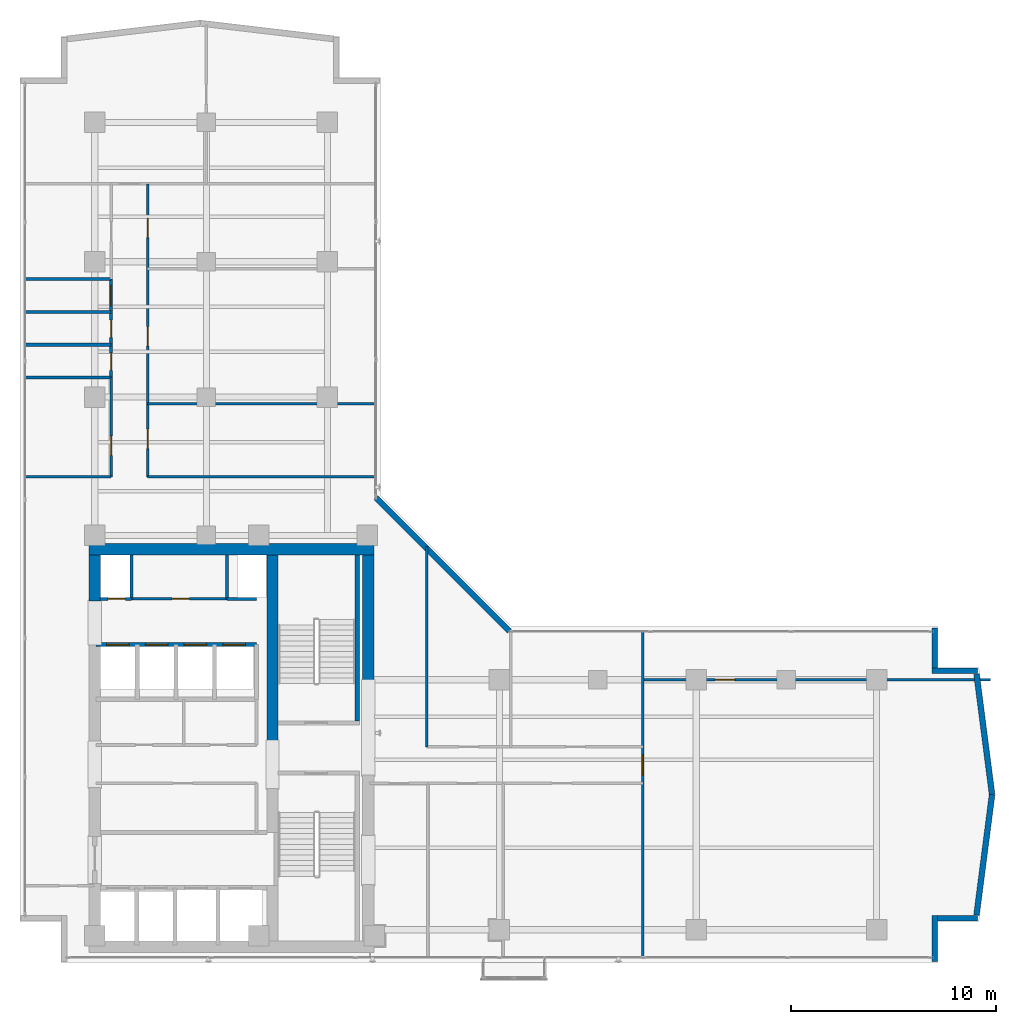
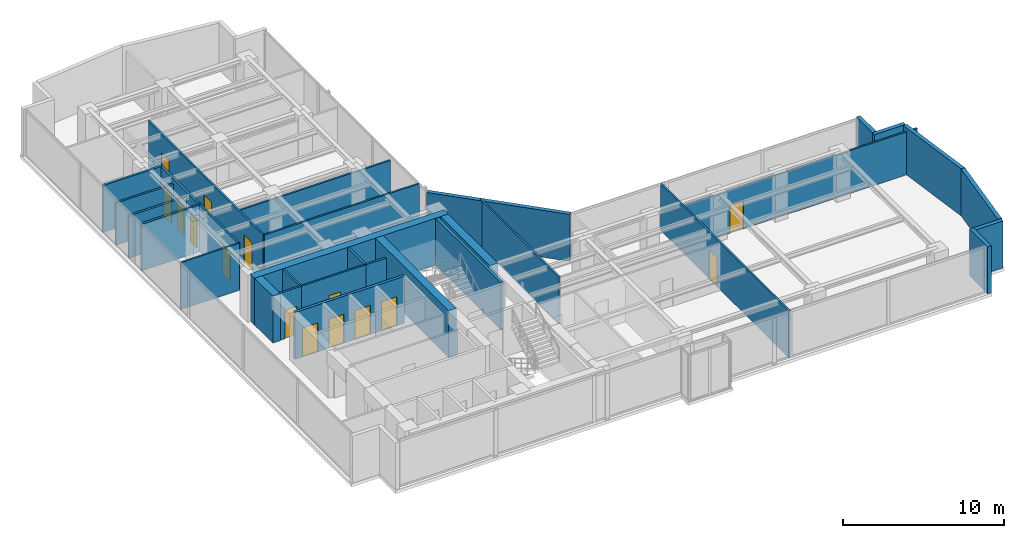
# One storey, part 18 of 23: 31 walls, 15 doors, 15 openings.
"""IFC4 building model written with IfcOpenShell, lengths in metres."""

from ifc_helpers import new_model, si_unit, direction, frame, frame_2d, origin, place, context, subcontext, project, spatial, rectangle, extrude, material, layer, layer_set, type_object, element, fill, save


model = new_model("IFC4")

# Units and contexts
model_context = context("Model", 3, precision=1e-05, world=origin(), true_north=direction((0.0, 1.0)))
body_context = subcontext(model_context, "Body", "Model", "MODEL_VIEW")
ifc_project = project(units=[si_unit("LENGTHUNIT", "METRE"), si_unit("AREAUNIT", "SQUARE_METRE"), si_unit("VOLUMEUNIT", "CUBIC_METRE"), si_unit("PLANEANGLEUNIT", "RADIAN"), si_unit("MASSUNIT", "GRAM", prefix="KILO")], contexts=[model_context])

# Site, building, storey
site_placement = place(None, origin())
site = spatial("IfcSite", under=ifc_project, at=site_placement, CompositionType="ELEMENT")
building_placement = place(site_placement, origin())
building = spatial("IfcBuilding", under=site, at=building_placement, Name="Kolvaren Waterfront Exchange", CompositionType="ELEMENT")
storey_placement = place(building_placement, frame((0.0, 0.0, 231.10009765625)))
storey = spatial("IfcBuildingStorey", under=building, at=storey_placement, Name="L59", CompositionType="ELEMENT", Elevation=231.10009765625)

# Walls
ifc_material_1 = material(Name="Precast concrete C40/50", Category="concrete")
ifc_layer_1 = layer(ifc_material_1, 0.280029296875, Name="Precast concrete C40/50")
ifc_layer_set_1 = layer_set([ifc_layer_1], Name="Precast concrete C40/50")
wall_type_1 = type_object("IfcWallType", Name="ARC-EXT-TERR-280", PredefinedType="SOLIDWALL", material=ifc_layer_set_1)
wall_1_placement = place(storey_placement, frame((48.43994140625, 3.659912109375, 0.0), z_axis=(0.0, 0.0, 1.0), x_axis=(0.0, 1.0, 0.0)))
element("IfcWall", 1, at=wall_1_placement, inside=storey, type_object=wall_type_1, Name="L59 notched corner spandrel pier SE-A", PredefinedType="SOLIDWALL", context=body_context, shape_type="SweptSolid", body=[
    extrude(rectangle(XDim=2.239990234375, YDim=0.280029296875, at=frame_2d((1.1201171875, 0.0))), origin(), (0.0, 0.0, 1.0), 3.559814453125),
])
wall_2_placement = place(storey_placement, frame((48.580078125, 5.760009765625, 0.0), z_axis=(0.0, 0.0, 1.0), x_axis=(1.0, 0.0, 0.0)))
element("IfcWall", 2, at=wall_2_placement, inside=storey, type_object=wall_type_1, Name="L59 notched corner spandrel pier SE-B", PredefinedType="SOLIDWALL", context=body_context, shape_type="SweptSolid", body=[
    extrude(rectangle(XDim=1.9599609375, YDim=0.280029296875, at=frame_2d((0.97998046875, 0.0))), origin(), (0.0, 0.0, 1.0), 3.559814453125),
])
wall_3_placement = place(storey_placement, frame((48.43994140625, 17.965087890625, 0.0), z_axis=(0.0, 0.0, 1.0), x_axis=(0.0, 1.0, 0.0)))
element("IfcWall", 3, at=wall_3_placement, inside=storey, type_object=wall_type_1, Name="L59 notched corner spandrel pier ENE-A", PredefinedType="SOLIDWALL", context=body_context, shape_type="SweptSolid", body=[
    extrude(rectangle(XDim=1.974853515625, YDim=0.280029296875, at=frame_2d((0.9873046875, 0.0))), origin(), (0.0, 0.0, 1.0), 3.559814453125),
])
wall_4_placement = place(storey_placement, frame((48.300048828125, 17.840087890625, 0.0), z_axis=(0.0, 0.0, 1.0), x_axis=(1.0, 0.0, 0.0)))
element("IfcWall", 4, at=wall_4_placement, inside=storey, type_object=wall_type_1, Name="L59 notched corner spandrel pier ENE-B", PredefinedType="SOLIDWALL", context=body_context, shape_type="SweptSolid", body=[
    extrude(rectangle(XDim=2.239990234375, YDim=0.280029296875, at=frame_2d((1.1201171875, 0.0))), origin(), (0.0, 0.0, 1.0), 3.559814453125),
])
wall_5_placement = place(storey_placement, frame((27.68505859375, 19.77490234375, 0.0), z_axis=(0.0, 0.0, 1.0), x_axis=(-0.707106781187, 0.707106781187, 0.0)))
element("IfcWall", 5, at=wall_5_placement, inside=storey, type_object=wall_type_1, Name="L59 notched corner spandrel pier ELBOW", PredefinedType="SOLIDWALL", context=body_context, shape_type="SweptSolid", body=[
    extrude(rectangle(XDim=9.20654296875, YDim=0.280029296875, at=frame_2d((4.603271484375, 0.0))), origin(), (0.0, 0.0, 1.0), 3.559814453125),
])
for number, where, z_axis, x_axis, name in (
    (6, (50.479736328125, 5.91796875, 0.0), (0.0, 0.0, 1.0), (0.127970031595, 0.991778035154, 0.0), "L59 east prow faceted facade wall 1"),
    (7, (51.23876953125, 11.79931640625, 0.0), (0.0, 0.0, 1.0), (-0.127970031595, 0.991778035154, 0.0), "L59 east prow faceted facade wall 2"),
):
    element("IfcWall", number, at=place(storey_placement, frame(where, z_axis=z_axis, x_axis=x_axis)), inside=storey, type_object=wall_type_1, Name=name, PredefinedType="SOLIDWALL", context=body_context, shape_type="SweptSolid", body=[
        extrude(rectangle(XDim=5.931396484375, YDim=0.280029296875, at=frame_2d((2.9658203125, 0.0))), origin(), (0.0, 0.0, 1.0), 3.559814453125),
    ])

# Wall, opening, door
ifc_material_2 = material(Name="Acoustic gypsum steel stud", Category="steel")
ifc_layer_2 = layer(ifc_material_2, 0.125, Name="Acoustic gypsum steel stud")
ifc_layer_set_2 = layer_set([ifc_layer_2], Name="Acoustic gypsum steel stud")
wall_type_2 = type_object("IfcWallType", Name="ARC-PART-125", PredefinedType="PARTITIONING", material=ifc_layer_set_2)
wall_6_placement = place(storey_placement, frame((9.25, 21.35009765625, 0.0), z_axis=(0.0, 0.0, 1.0), x_axis=(1.0, 0.0, 0.0)))
wall_6 = element("IfcWall", 8, at=wall_6_placement, inside=storey, type_object=wall_type_2, Name="L59 interior wall PW-L59-SVC-HI-S", PredefinedType="PARTITIONING", context=body_context, shape_type="SweptSolid", body=[
    extrude(rectangle(XDim=4.64990234375, YDim=0.125, at=frame_2d((2.324951171875, 0.0))), origin(), (0.0, 0.0, 1.0), 3.559814453125),
])
opening_1_placement = place(wall_6_placement, frame((1.971435546875, 0.0, 0.0)))
opening_1 = element("IfcOpeningElement", 9, at=opening_1_placement, cuts=wall_6, Name="Opening D01", PredefinedType="OPENING", context=body_context, shape_type="SweptSolid", body=[
    extrude(rectangle(XDim=0.85009765625, YDim=2.14990234375, at=frame_2d((0.425048828125, 1.074951171875))), frame((0.0, 0.072509765625, 0.0), z_axis=(0.0, -1.0, 0.0), x_axis=(1.0, 0.0, 0.0)), (0.0, 0.0, 1.0), 0.14501953125),
])
ifc_material_3 = material(Name="Oak veneer timber leaf", Category="wood")
door_type_1 = type_object("IfcDoorType", Name="ARC-DR-900", OperationType="NOTDEFINED", PredefinedType="DOOR", material=ifc_material_3)
door_1_placement = place(opening_1_placement, origin())
door_1 = element("IfcDoor", 10, at=door_1_placement, inside=storey, type_object=door_type_1, Name="L59 door DR-L59-SVC-DR-1 (D01)", OperationType="SINGLE_SWING_RIGHT", OverallHeight=2.14990234375, OverallWidth=0.85009765625, PredefinedType="DOOR", context=body_context, shape_type="SweptSolid", body=[
    extrude(rectangle(XDim=0.85009765625, YDim=2.14990234375, at=frame_2d((0.425048828125, 1.074951171875))), frame((0.0, 0.02490234375, 0.0), z_axis=(0.0, -1.0, 0.0), x_axis=(1.0, 0.0, 0.0)), (0.0, 0.0, 1.0), 0.050048828125),
])
fill(opening_1, door_1)

wall_7_placement = place(storey_placement, frame((8.25, 27.300048828125, 0.0), z_axis=(0.0, 0.0, 1.0), x_axis=(0.0, 1.0, 0.0)))
wall_7 = element("IfcWall", 11, at=wall_7_placement, inside=storey, type_object=wall_type_2, Name="L59 interior wall PW-L59-PREWC-E", PredefinedType="PARTITIONING", context=body_context, shape_type="SweptSolid", body=[
    extrude(rectangle(XDim=4.849853515625, YDim=0.125, at=frame_2d((2.4248046875, 0.0))), origin(), (0.0, 0.0, 1.0), 3.559814453125),
])
opening_2_placement = place(wall_7_placement, frame((1.050048828125, 0.0, 0.0)))
opening_2 = element("IfcOpeningElement", 12, at=opening_2_placement, cuts=wall_7, Name="Opening D02", PredefinedType="OPENING", context=body_context, shape_type="SweptSolid", body=[
    extrude(rectangle(XDim=0.949951171875, YDim=2.14990234375, at=frame_2d((0.47509765625, 1.074951171875))), frame((0.0, 0.072509765625, 0.0), z_axis=(0.0, -1.0, 0.0), x_axis=(1.0, 0.0, 0.0)), (0.0, 0.0, 1.0), 0.14501953125),
])
ifc_material_4 = material(Name="Oak veneer acoustic timber", Category="wood")
door_type_2 = type_object("IfcDoorType", Name="ARC-DR-950", OperationType="NOTDEFINED", PredefinedType="DOOR", material=ifc_material_4)
door_2_placement = place(opening_2_placement, origin())
door_2 = element("IfcDoor", 13, at=door_2_placement, inside=storey, type_object=door_type_2, Name="L59 door DR-L59-PREWC-D (D02)", OperationType="SINGLE_SWING_LEFT", OverallHeight=2.14990234375, OverallWidth=0.949951171875, PredefinedType="DOOR", context=body_context, shape_type="SweptSolid", body=[
    extrude(rectangle(XDim=0.949951171875, YDim=2.14990234375, at=frame_2d((0.47509765625, 1.074951171875))), frame((0.0, 0.02490234375, 0.0), z_axis=(0.0, -1.0, 0.0), x_axis=(1.0, 0.0, 0.0)), (0.0, 0.0, 1.0), 0.050048828125),
])
fill(opening_2, door_2)

# Wall
wall_8_placement = place(storey_placement, frame((4.0400390625, 27.300048828125, 0.0), z_axis=(0.0, 0.0, 1.0), x_axis=(1.0, 0.0, 0.0)))
element("IfcWall", 14, at=wall_8_placement, inside=storey, type_object=wall_type_2, Name="L59 interior wall PW-L59-PREWC-S", PredefinedType="PARTITIONING", context=body_context, shape_type="SweptSolid", body=[
    extrude(rectangle(XDim=4.2099609375, YDim=0.125, at=frame_2d((2.10498046875, 0.0))), origin(), (0.0, 0.0, 1.0), 3.559814453125),
])

# Wall, opening, door
wall_9_placement = place(storey_placement, frame((34.199951171875, 3.840087890625, 0.0), z_axis=(0.0, 0.0, 1.0), x_axis=(0.0, 1.0, 0.0)))
wall_9 = element("IfcWall", 15, at=wall_9_placement, inside=storey, type_object=wall_type_2, Name="L59 interior wall PW-L59-ETIP-W", PredefinedType="PARTITIONING", context=body_context, shape_type="SweptSolid", body=[
    extrude(rectangle(XDim=15.919921875, YDim=0.125, at=frame_2d((7.9599609375, 0.0))), origin(), (0.0, 0.0, 1.0), 3.559814453125),
])
opening_3_placement = place(wall_9_placement, frame((8.89990234375, 0.0, 0.0)))
opening_3 = element("IfcOpeningElement", 16, at=opening_3_placement, cuts=wall_9, Name="Opening D03", PredefinedType="OPENING", context=body_context, shape_type="SweptSolid", body=[
    extrude(rectangle(XDim=1.0, YDim=2.199951171875, at=frame_2d((0.5, 1.10009765625))), frame((0.0, 0.072509765625, 0.0), z_axis=(0.0, -1.0, 0.0), x_axis=(1.0, 0.0, 0.0)), (0.0, 0.0, 1.0), 0.14501953125),
])
ifc_material_5 = material(Name="Oak veneer accessible timber", Category="wood")
door_type_3 = type_object("IfcDoorType", Name="ARC-DR-1000", OperationType="NOTDEFINED", PredefinedType="DOOR", material=ifc_material_5)
door_3_placement = place(opening_3_placement, origin())
door_3 = element("IfcDoor", 17, at=door_3_placement, inside=storey, type_object=door_type_3, Name="L59 door DR-L59-ETIP1-D (D03)", OperationType="SINGLE_SWING_LEFT", OverallHeight=2.199951171875, OverallWidth=1.0, PredefinedType="DOOR", context=body_context, shape_type="SweptSolid", body=[
    extrude(rectangle(XDim=1.0, YDim=2.199951171875, at=frame_2d((0.5, 1.10009765625))), frame((0.0, 0.02490234375, 0.0), z_axis=(0.0, -1.0, 0.0), x_axis=(1.0, 0.0, 0.0)), (0.0, 0.0, 1.0), 0.050048828125),
])
fill(opening_3, door_3)

wall_10_placement = place(storey_placement, frame((34.199951171875, 17.39990234375, 0.0), z_axis=(0.0, 0.0, 1.0), x_axis=(1.0, 0.0, 0.0)))
wall_10 = element("IfcWall", 18, at=wall_10_placement, inside=storey, type_object=wall_type_2, Name="L59 interior wall PW-L59-ETIP-MID", PredefinedType="PARTITIONING", context=body_context, shape_type="SweptSolid", body=[
    extrude(rectangle(XDim=16.9599609375, YDim=0.125, at=frame_2d((8.47998046875, 0.0))), origin(), (0.0, 0.0, 1.0), 3.260009765625),
])
opening_4_placement = place(wall_10_placement, frame((3.52490234375, 0.0, 0.0)))
opening_4 = element("IfcOpeningElement", 19, at=opening_4_placement, cuts=wall_10, Name="Opening D02", PredefinedType="OPENING", context=body_context, shape_type="SweptSolid", body=[
    extrude(rectangle(XDim=0.949951171875, YDim=2.14990234375, at=frame_2d((0.47509765625, 1.074951171875))), frame((0.0, 0.072509765625, 0.0), z_axis=(0.0, -1.0, 0.0), x_axis=(1.0, 0.0, 0.0)), (0.0, 0.0, 1.0), 0.14501953125),
])
door_4_placement = place(opening_4_placement, origin())
door_4 = element("IfcDoor", 20, at=door_4_placement, inside=storey, type_object=door_type_2, Name="L59 door DR-L59-ETIP2-D (D02)", OperationType="SINGLE_SWING_RIGHT", OverallHeight=2.14990234375, OverallWidth=0.949951171875, PredefinedType="DOOR", context=body_context, shape_type="SweptSolid", body=[
    extrude(rectangle(XDim=0.949951171875, YDim=2.14990234375, at=frame_2d((0.47509765625, 1.074951171875))), frame((0.0, 0.02490234375, 0.0), z_axis=(0.0, -1.0, 0.0), x_axis=(1.0, 0.0, 0.0)), (0.0, 0.0, 1.0), 0.050048828125),
])
fill(opening_4, door_4)

# Walls
wall_11_placement = place(storey_placement, frame((23.64990234375, 14.1298828125, 0.0), z_axis=(0.0, 0.0, 1.0), x_axis=(0.0, 1.0, 0.0)))
element("IfcWall", 21, at=wall_11_placement, inside=storey, type_object=wall_type_2, Name="L59 interior wall PW-L59-EN-W0", PredefinedType="PARTITIONING", context=body_context, shape_type="SweptSolid", body=[
    extrude(rectangle(XDim=9.780029296875, YDim=0.125, at=frame_2d((4.89013671875, 0.0))), origin(), (0.0, 0.0, 1.0), 3.559814453125),
])
wall_12_placement = place(storey_placement, frame((10.030029296875, 27.300048828125, 0.0), z_axis=(0.0, 0.0, 1.0), x_axis=(1.0, 0.0, 0.0)))
element("IfcWall", 22, at=wall_12_placement, inside=storey, type_object=wall_type_2, Name="L59 interior wall PW-L59-NE-S0", PredefinedType="PARTITIONING", context=body_context, shape_type="SweptSolid", body=[
    extrude(rectangle(XDim=11.1298828125, YDim=0.125, at=frame_2d((5.56494140625, 0.0))), origin(), (0.0, 0.0, 1.0), 3.559814453125),
])

# Wall, openings, doors
wall_13_placement = place(storey_placement, frame((10.030029296875, 27.300048828125, 0.0), z_axis=(0.0, 0.0, 1.0), x_axis=(0.0, 1.0, 0.0)))
wall_13 = element("IfcWall", 23, at=wall_13_placement, inside=storey, type_object=wall_type_2, Name="L59 interior wall PW-L59-NE-CORR", PredefinedType="PARTITIONING", context=body_context, shape_type="SweptSolid", body=[
    extrude(rectangle(XDim=14.300048828125, YDim=0.125, at=frame_2d((7.14990234375, 0.0))), origin(), (0.0, 0.0, 1.0), 3.559814453125),
])
opening_5_placement = place(wall_13_placement, frame((1.385498046875, 0.0, 0.0)))
opening_5 = element("IfcOpeningElement", 24, at=opening_5_placement, cuts=wall_13, Name="Opening D02", PredefinedType="OPENING", context=body_context, shape_type="SweptSolid", body=[
    extrude(rectangle(XDim=0.949951171875, YDim=2.14990234375, at=frame_2d((0.47509765625, 1.074951171875))), frame((0.0, 0.072509765625, 0.0), z_axis=(0.0, -1.0, 0.0), x_axis=(1.0, 0.0, 0.0)), (0.0, 0.0, 1.0), 0.14501953125),
])
opening_6_placement = place(wall_13_placement, frame((6.389892578125, 0.0, 0.0)))
opening_6 = element("IfcOpeningElement", 25, at=opening_6_placement, cuts=wall_13, Name="Opening D02", PredefinedType="OPENING", context=body_context, shape_type="SweptSolid", body=[
    extrude(rectangle(XDim=0.949951171875, YDim=2.14990234375, at=frame_2d((0.47509765625, 1.074951171875))), frame((0.0, 0.072509765625, 0.0), z_axis=(0.0, -1.0, 0.0), x_axis=(1.0, 0.0, 0.0)), (0.0, 0.0, 1.0), 0.14501953125),
])
opening_7_placement = place(wall_13_placement, frame((11.679443359375, 0.0, 0.0)))
opening_7 = element("IfcOpeningElement", 26, at=opening_7_placement, cuts=wall_13, Name="Opening D02", PredefinedType="OPENING", context=body_context, shape_type="SweptSolid", body=[
    extrude(rectangle(XDim=0.949951171875, YDim=2.14990234375, at=frame_2d((0.47509765625, 1.074951171875))), frame((0.0, 0.072509765625, 0.0), z_axis=(0.0, -1.0, 0.0), x_axis=(1.0, 0.0, 0.0)), (0.0, 0.0, 1.0), 0.14501953125),
])
door_5_placement = place(opening_5_placement, origin())
door_5 = element("IfcDoor", 27, at=door_5_placement, inside=storey, type_object=door_type_2, Name="L59 door DR-L59-NE-D-1 (D02)", OperationType="SINGLE_SWING_RIGHT", OverallHeight=2.14990234375, OverallWidth=0.949951171875, PredefinedType="DOOR", context=body_context, shape_type="SweptSolid", body=[
    extrude(rectangle(XDim=0.949951171875, YDim=2.14990234375, at=frame_2d((0.47509765625, 1.074951171875))), frame((0.0, 0.02490234375, 0.0), z_axis=(0.0, -1.0, 0.0), x_axis=(1.0, 0.0, 0.0)), (0.0, 0.0, 1.0), 0.050048828125),
])
fill(opening_5, door_5)
door_6_placement = place(opening_6_placement, origin())
door_6 = element("IfcDoor", 28, at=door_6_placement, inside=storey, type_object=door_type_2, Name="L59 door DR-L59-NE-D-2 (D02)", OperationType="SINGLE_SWING_LEFT", OverallHeight=2.14990234375, OverallWidth=0.949951171875, PredefinedType="DOOR", context=body_context, shape_type="SweptSolid", body=[
    extrude(rectangle(XDim=0.949951171875, YDim=2.14990234375, at=frame_2d((0.47509765625, 1.074951171875))), frame((0.0, 0.02490234375, 0.0), z_axis=(0.0, -1.0, 0.0), x_axis=(1.0, 0.0, 0.0)), (0.0, 0.0, 1.0), 0.050048828125),
])
fill(opening_6, door_6)
door_7_placement = place(opening_7_placement, origin())
door_7 = element("IfcDoor", 29, at=door_7_placement, inside=storey, type_object=door_type_2, Name="L59 door DR-L59-NE-D-3 (D02)", OperationType="SINGLE_SWING_RIGHT", OverallHeight=2.14990234375, OverallWidth=0.949951171875, PredefinedType="DOOR", context=body_context, shape_type="SweptSolid", body=[
    extrude(rectangle(XDim=0.949951171875, YDim=2.14990234375, at=frame_2d((0.47509765625, 1.074951171875))), frame((0.0, 0.02490234375, 0.0), z_axis=(0.0, -1.0, 0.0), x_axis=(1.0, 0.0, 0.0)), (0.0, 0.0, 1.0), 0.050048828125),
])
fill(opening_7, door_7)

# Walls
wall_14_placement = place(storey_placement, frame((10.030029296875, 30.8798828125, 0.0), z_axis=(0.0, 0.0, 1.0), x_axis=(1.0, 0.0, 0.0)))
element("IfcWall", 30, at=wall_14_placement, inside=storey, type_object=wall_type_2, Name="L59 interior wall PW-L59-NE-DIV-1", PredefinedType="PARTITIONING", context=body_context, shape_type="SweptSolid", body=[
    extrude(rectangle(XDim=11.1298828125, YDim=0.125, at=frame_2d((5.56494140625, 0.0))), origin(), (0.0, 0.0, 1.0), 3.159912109375),
])
ifc_material_6 = material(Name="Gypsum fireboard steel stud", Category="steel")
ifc_layer_3 = layer(ifc_material_6, 0.14990234375, Name="Gypsum fireboard steel stud")
ifc_layer_set_3 = layer_set([ifc_layer_3], Name="Gypsum fireboard steel stud")
wall_type_3 = type_object("IfcWallType", Name="ARC-PART-150", PredefinedType="PARTITIONING", material=ifc_layer_set_3)
for number, where, z_axis, x_axis, name in (
    (31, (9.25, 21.35009765625, 0.0), (0.0, 0.0, 1.0), (0.0, 1.0, 0.0), "L59 interior wall PW-L59-SVC-R1"),
    (32, (13.89990234375, 21.35009765625, 0.0), (0.0, 0.0, 1.0), (0.0, 1.0, 0.0), "L59 interior wall PW-L59-SVC-R2"),
):
    element("IfcWall", number, at=place(storey_placement, frame(where, z_axis=z_axis, x_axis=x_axis)), inside=storey, type_object=wall_type_3, Name=name, PredefinedType="PARTITIONING", context=body_context, shape_type="SweptSolid", body=[
        extrude(rectangle(XDim=2.1298828125, YDim=0.14990234375, at=frame_2d((1.06494140625, 0.0))), origin(), (0.0, 0.0, 1.0), 3.559814453125),
    ])

# Wall, opening, door
wall_15_placement = place(storey_placement, frame((7.699951171875, 21.35009765625, 0.0), z_axis=(0.0, 0.0, 1.0), x_axis=(1.0, 0.0, 0.0)))
wall_15 = element("IfcWall", 33, at=wall_15_placement, inside=storey, type_object=wall_type_3, Name="L59 interior wall PW-L59-SVC-RE-S", PredefinedType="PARTITIONING", context=body_context, shape_type="SweptSolid", body=[
    extrude(rectangle(XDim=1.550048828125, YDim=0.14990234375, at=frame_2d((0.77490234375, 0.0))), origin(), (0.0, 0.0, 1.0), 3.559814453125),
])
opening_8_placement = place(wall_15_placement, frame((0.389892578125, 0.0, 0.0)))
opening_8 = element("IfcOpeningElement", 34, at=opening_8_placement, cuts=wall_15, Name="Opening FD1", PredefinedType="OPENING", context=body_context, shape_type="SweptSolid", body=[
    extrude(rectangle(XDim=0.85009765625, YDim=2.14990234375, at=frame_2d((0.425048828125, 1.074951171875))), frame((0.0, 0.0849609375, 0.0), z_axis=(0.0, -1.0, 0.0), x_axis=(1.0, 0.0, 0.0)), (0.0, 0.0, 1.0), 0.169921875),
])
ifc_material_7 = material(Name="Pressed steel fire leaf", Category="steel")
door_type_4 = type_object("IfcDoorType", Name="ARC-FD-900", OperationType="NOTDEFINED", PredefinedType="DOOR", material=ifc_material_7)
door_8_placement = place(opening_8_placement, origin())
door_8 = element("IfcDoor", 35, at=door_8_placement, inside=storey, type_object=door_type_4, Name="L59 door DR-L59-RISER-E-DR (FD1)", OperationType="SINGLE_SWING_LEFT", OverallHeight=2.14990234375, OverallWidth=0.85009765625, PredefinedType="DOOR", context=body_context, shape_type="SweptSolid", body=[
    extrude(rectangle(XDim=0.85009765625, YDim=2.14990234375, at=frame_2d((0.425048828125, 1.074951171875))), frame((0.0, 0.02490234375, 0.0), z_axis=(0.0, -1.0, 0.0), x_axis=(1.0, 0.0, 0.0)), (0.0, 0.0, 1.0), 0.050048828125),
])
fill(opening_8, door_8)

# Walls
wall_16_placement = place(storey_placement, frame((13.89990234375, 21.35009765625, 0.0), z_axis=(0.0, 0.0, 1.0), x_axis=(1.0, 0.0, 0.0)))
element("IfcWall", 36, at=wall_16_placement, inside=storey, type_object=wall_type_3, Name="L59 interior wall PW-L59-SVC-RP-S", PredefinedType="PARTITIONING", context=body_context, shape_type="SweptSolid", body=[
    extrude(rectangle(XDim=1.4501953125, YDim=0.14990234375, at=frame_2d((0.72509765625, 0.0))), origin(), (0.0, 0.0, 1.0), 3.559814453125),
])
ifc_material_8 = material(Name="Moisture-resistant gypsum stud")
ifc_layer_4 = layer(ifc_material_8, 0.14990234375, Name="Moisture-resistant gypsum stud")
ifc_layer_set_4 = layer_set([ifc_layer_4], Name="Moisture-resistant gypsum stud")
wall_type_4 = type_object("IfcWallType", Name="ARC-PLUMB-150", PredefinedType="PLUMBINGWALL", material=ifc_layer_set_4)
wall_17_placement = place(storey_placement, frame((4.0400390625, 32.14990234375, 0.0), z_axis=(0.0, 0.0, 1.0), x_axis=(1.0, 0.0, 0.0)))
element("IfcWall", 37, at=wall_17_placement, inside=storey, type_object=wall_type_4, Name="L59 interior wall PW-L59-WC-0", PredefinedType="PLUMBINGWALL", context=body_context, shape_type="SweptSolid", body=[
    extrude(rectangle(XDim=4.2099609375, YDim=0.14990234375, at=frame_2d((2.10498046875, 0.0))), origin(), (0.0, 0.0, 1.0), 3.559814453125),
])

# Wall, openings, doors
wall_18_placement = place(storey_placement, frame((8.25, 32.14990234375, 0.0), z_axis=(0.0, 0.0, 1.0), x_axis=(0.0, 1.0, 0.0)))
wall_18 = element("IfcWall", 38, at=wall_18_placement, inside=storey, type_object=wall_type_4, Name="L59 interior wall PW-L59-WC-E", PredefinedType="PLUMBINGWALL", context=body_context, shape_type="SweptSolid", body=[
    extrude(rectangle(XDim=4.800048828125, YDim=0.14990234375, at=frame_2d((2.39990234375, 0.0))), origin(), (0.0, 0.0, 1.0), 3.559814453125),
])
opening_9_placement = place(wall_18_placement, frame((0.35009765625, 0.0, 0.0)))
opening_9 = element("IfcOpeningElement", 39, at=opening_9_placement, cuts=wall_18, Name="Opening D01", PredefinedType="OPENING", context=body_context, shape_type="SweptSolid", body=[
    extrude(rectangle(XDim=0.85009765625, YDim=2.14990234375, at=frame_2d((0.425048828125, 1.074951171875))), frame((0.0, 0.0849609375, 0.0), z_axis=(0.0, -1.0, 0.0), x_axis=(1.0, 0.0, 0.0)), (0.0, 0.0, 1.0), 0.169921875),
])
opening_10_placement = place(wall_18_placement, frame((1.949951171875, 0.0, 0.0)))
opening_10 = element("IfcOpeningElement", 40, at=opening_10_placement, cuts=wall_18, Name="Opening D01", PredefinedType="OPENING", context=body_context, shape_type="SweptSolid", body=[
    extrude(rectangle(XDim=0.85009765625, YDim=2.14990234375, at=frame_2d((0.425048828125, 1.074951171875))), frame((0.0, 0.0849609375, 0.0), z_axis=(0.0, -1.0, 0.0), x_axis=(1.0, 0.0, 0.0)), (0.0, 0.0, 1.0), 0.169921875),
])
opening_11_placement = place(wall_18_placement, frame((3.5, 0.0, 0.0)))
opening_11 = element("IfcOpeningElement", 41, at=opening_11_placement, cuts=wall_18, Name="Opening D03", PredefinedType="OPENING", context=body_context, shape_type="SweptSolid", body=[
    extrude(rectangle(XDim=1.0, YDim=2.199951171875, at=frame_2d((0.5, 1.10009765625))), frame((0.0, 0.0849609375, 0.0), z_axis=(0.0, -1.0, 0.0), x_axis=(1.0, 0.0, 0.0)), (0.0, 0.0, 1.0), 0.169921875),
])
door_9_placement = place(opening_11_placement, origin())
door_9 = element("IfcDoor", 42, at=door_9_placement, inside=storey, type_object=door_type_3, Name="L59 door DR-L59-WCA-D (D03)", OperationType="SINGLE_SWING_RIGHT", OverallHeight=2.199951171875, OverallWidth=1.0, PredefinedType="DOOR", context=body_context, shape_type="SweptSolid", body=[
    extrude(rectangle(XDim=1.0, YDim=2.199951171875, at=frame_2d((0.5, 1.10009765625))), frame((0.0, 0.02490234375, 0.0), z_axis=(0.0, -1.0, 0.0), x_axis=(1.0, 0.0, 0.0)), (0.0, 0.0, 1.0), 0.050048828125),
])
fill(opening_11, door_9)
door_10_placement = place(opening_9_placement, origin())
door_10 = element("IfcDoor", 43, at=door_10_placement, inside=storey, type_object=door_type_1, Name="L59 door DR-L59-WCM-D (D01)", OperationType="SINGLE_SWING_RIGHT", OverallHeight=2.14990234375, OverallWidth=0.85009765625, PredefinedType="DOOR", context=body_context, shape_type="SweptSolid", body=[
    extrude(rectangle(XDim=0.85009765625, YDim=2.14990234375, at=frame_2d((0.425048828125, 1.074951171875))), frame((0.0, 0.02490234375, 0.0), z_axis=(0.0, -1.0, 0.0), x_axis=(1.0, 0.0, 0.0)), (0.0, 0.0, 1.0), 0.050048828125),
])
fill(opening_9, door_10)
door_11_placement = place(opening_10_placement, origin())
door_11 = element("IfcDoor", 44, at=door_11_placement, inside=storey, type_object=door_type_1, Name="L59 door DR-L59-WCF-D (D01)", OperationType="SINGLE_SWING_LEFT", OverallHeight=2.14990234375, OverallWidth=0.85009765625, PredefinedType="DOOR", context=body_context, shape_type="SweptSolid", body=[
    extrude(rectangle(XDim=0.85009765625, YDim=2.14990234375, at=frame_2d((0.425048828125, 1.074951171875))), frame((0.0, 0.02490234375, 0.0), z_axis=(0.0, -1.0, 0.0), x_axis=(1.0, 0.0, 0.0)), (0.0, 0.0, 1.0), 0.050048828125),
])
fill(opening_10, door_11)

# Walls
for number, where, z_axis, x_axis, name in (
    (45, (4.0400390625, 33.75, 0.0), (0.0, 0.0, 1.0), (1.0, 0.0, 0.0), "L59 interior wall PW-L59-WC-1"),
    (46, (4.0400390625, 35.35009765625, 0.0), (0.0, 0.0, 1.0), (1.0, 0.0, 0.0), "L59 interior wall PW-L59-WC-2"),
):
    element("IfcWall", number, at=place(storey_placement, frame(where, z_axis=z_axis, x_axis=x_axis)), inside=storey, type_object=wall_type_4, Name=name, PredefinedType="PLUMBINGWALL", context=body_context, shape_type="SweptSolid", body=[
        extrude(rectangle(XDim=4.2099609375, YDim=0.14990234375, at=frame_2d((2.10498046875, 0.0))), origin(), (0.0, 0.0, 1.0), 3.199951171875),
    ])
wall_19_placement = place(storey_placement, frame((4.0400390625, 36.949951171875, 0.0), z_axis=(0.0, 0.0, 1.0), x_axis=(1.0, 0.0, 0.0)))
element("IfcWall", 47, at=wall_19_placement, inside=storey, type_object=wall_type_4, Name="L59 interior wall PW-L59-WC-3", PredefinedType="PLUMBINGWALL", context=body_context, shape_type="SweptSolid", body=[
    extrude(rectangle(XDim=4.2099609375, YDim=0.14990234375, at=frame_2d((2.10498046875, 0.0))), origin(), (0.0, 0.0, 1.0), 3.559814453125),
])
ifc_material_9 = material(Name="Concrete C40/50", Category="concrete")
ifc_layer_5 = layer(ifc_material_9, 0.199951171875, Name="Concrete C40/50")
ifc_layer_set_5 = layer_set([ifc_layer_5], Name="Concrete C40/50")
wall_type_5 = type_object("IfcWallType", Name="ARC-SHAFT-200", PredefinedType="PARTITIONING", material=ifc_layer_set_5)
wall_20_placement = place(storey_placement, frame((20.260009765625, 15.39990234375, 0.0), z_axis=(0.0, 0.0, 1.0), x_axis=(0.0, 1.0, 0.0)))
element("IfcWall", 48, at=wall_20_placement, inside=storey, type_object=wall_type_5, Name="L59 structural stairwell wall PW-L59-ST2-E", PredefinedType="SHEAR", context=body_context, shape_type="SweptSolid", body=[
    extrude(rectangle(XDim=8.090087890625, YDim=0.199951171875, at=frame_2d((4.044921875, 0.0))), origin(), (0.0, 0.0, 1.0), 3.559814453125),
])

# Wall, openings, doors
wall_21_placement = place(storey_placement, frame((7.5, 19.1201171875, 0.0), z_axis=(0.0, 0.0, 1.0), x_axis=(1.0, 0.0, 0.0)))
wall_21 = element("IfcWall", 49, at=wall_21_placement, inside=storey, type_object=wall_type_5, Name="L59 interior wall PW-L59-PH-N", PredefinedType="PARTITIONING", context=body_context, shape_type="SweptSolid", body=[
    extrude(rectangle(XDim=7.85009765625, YDim=0.199951171875, at=frame_2d((3.925048828125, 0.0))), origin(), (0.0, 0.0, 1.0), 3.559814453125),
])
opening_12_placement = place(wall_21_placement, frame((0.530029296875, 0.0, 0.0)))
opening_12 = element("IfcOpeningElement", 50, at=opening_12_placement, cuts=wall_21, Name="Opening LD2", PredefinedType="OPENING", context=body_context, shape_type="SweptSolid", body=[
    extrude(rectangle(XDim=1.10009765625, YDim=2.199951171875, at=frame_2d((0.550048828125, 1.10009765625))), frame((0.0, 0.10986328125, 0.0), z_axis=(0.0, -1.0, 0.0), x_axis=(1.0, 0.0, 0.0)), (0.0, 0.0, 1.0), 0.219970703125),
])
opening_13_placement = place(wall_21_placement, frame((2.419921875, 0.0, 0.0)))
opening_13 = element("IfcOpeningElement", 51, at=opening_13_placement, cuts=wall_21, Name="Opening LD2", PredefinedType="OPENING", context=body_context, shape_type="SweptSolid", body=[
    extrude(rectangle(XDim=1.10009765625, YDim=2.199951171875, at=frame_2d((0.550048828125, 1.10009765625))), frame((0.0, 0.10986328125, 0.0), z_axis=(0.0, -1.0, 0.0), x_axis=(1.0, 0.0, 0.0)), (0.0, 0.0, 1.0), 0.219970703125),
])
opening_14_placement = place(wall_21_placement, frame((4.31005859375, 0.0, 0.0)))
opening_14 = element("IfcOpeningElement", 52, at=opening_14_placement, cuts=wall_21, Name="Opening LD2", PredefinedType="OPENING", context=body_context, shape_type="SweptSolid", body=[
    extrude(rectangle(XDim=1.10009765625, YDim=2.199951171875, at=frame_2d((0.550048828125, 1.10009765625))), frame((0.0, 0.10986328125, 0.0), z_axis=(0.0, -1.0, 0.0), x_axis=(1.0, 0.0, 0.0)), (0.0, 0.0, 1.0), 0.219970703125),
])
opening_15_placement = place(wall_21_placement, frame((6.199951171875, 0.0, 0.0)))
opening_15 = element("IfcOpeningElement", 53, at=opening_15_placement, cuts=wall_21, Name="Opening LD2", PredefinedType="OPENING", context=body_context, shape_type="SweptSolid", body=[
    extrude(rectangle(XDim=1.10009765625, YDim=2.199951171875, at=frame_2d((0.550048828125, 1.10009765625))), frame((0.0, 0.10986328125, 0.0), z_axis=(0.0, -1.0, 0.0), x_axis=(1.0, 0.0, 0.0)), (0.0, 0.0, 1.0), 0.219970703125),
])
ifc_material_10 = material(Name="Brushed bronze sliding landing door", Category="aluminium")
door_type_5 = type_object("IfcDoorType", Name="ARC-LD-PAX", OperationType="SLIDING_TO_LEFT", PredefinedType="DOOR", material=ifc_material_10)
door_12_placement = place(opening_12_placement, origin())
door_12 = element("IfcDoor", 54, at=door_12_placement, inside=storey, type_object=door_type_5, Name="L59 door LD-L59-PH1 (LD2)", OperationType="SLIDING_TO_LEFT", OverallHeight=2.199951171875, OverallWidth=1.10009765625, PredefinedType="DOOR", context=body_context, shape_type="SweptSolid", body=[
    extrude(rectangle(XDim=1.10009765625, YDim=2.199951171875, at=frame_2d((0.550048828125, 1.10009765625))), frame((0.0, 0.02490234375, 0.0), z_axis=(0.0, -1.0, 0.0), x_axis=(1.0, 0.0, 0.0)), (0.0, 0.0, 1.0), 0.050048828125),
])
fill(opening_12, door_12)
door_13_placement = place(opening_13_placement, origin())
door_13 = element("IfcDoor", 55, at=door_13_placement, inside=storey, type_object=door_type_5, Name="L59 door LD-L59-PH2 (LD2)", OperationType="SLIDING_TO_LEFT", OverallHeight=2.199951171875, OverallWidth=1.10009765625, PredefinedType="DOOR", context=body_context, shape_type="SweptSolid", body=[
    extrude(rectangle(XDim=1.10009765625, YDim=2.199951171875, at=frame_2d((0.550048828125, 1.10009765625))), frame((0.0, 0.02490234375, 0.0), z_axis=(0.0, -1.0, 0.0), x_axis=(1.0, 0.0, 0.0)), (0.0, 0.0, 1.0), 0.050048828125),
])
fill(opening_13, door_13)
door_14_placement = place(opening_14_placement, origin())
door_14 = element("IfcDoor", 56, at=door_14_placement, inside=storey, type_object=door_type_5, Name="L59 door LD-L59-PH3 (LD2)", OperationType="SLIDING_TO_LEFT", OverallHeight=2.199951171875, OverallWidth=1.10009765625, PredefinedType="DOOR", context=body_context, shape_type="SweptSolid", body=[
    extrude(rectangle(XDim=1.10009765625, YDim=2.199951171875, at=frame_2d((0.550048828125, 1.10009765625))), frame((0.0, 0.02490234375, 0.0), z_axis=(0.0, -1.0, 0.0), x_axis=(1.0, 0.0, 0.0)), (0.0, 0.0, 1.0), 0.050048828125),
])
fill(opening_14, door_14)
door_15_placement = place(opening_15_placement, origin())
door_15 = element("IfcDoor", 57, at=door_15_placement, inside=storey, type_object=door_type_5, Name="L59 door LD-L59-PH4 (LD2)", OperationType="SLIDING_TO_LEFT", OverallHeight=2.199951171875, OverallWidth=1.10009765625, PredefinedType="DOOR", context=body_context, shape_type="SweptSolid", body=[
    extrude(rectangle(XDim=1.10009765625, YDim=2.199951171875, at=frame_2d((0.550048828125, 1.10009765625))), frame((0.0, 0.02490234375, 0.0), z_axis=(0.0, -1.0, 0.0), x_axis=(1.0, 0.0, 0.0)), (0.0, 0.0, 1.0), 0.050048828125),
])
fill(opening_15, door_15)

# Walls
ifc_material_11 = material(Name="Concrete C50/60", Category="concrete")
ifc_layer_6 = layer(ifc_material_11, 0.550048828125, Name="Concrete C50/60")
ifc_layer_set_6 = layer_set([ifc_layer_6], Name="Concrete C50/60")
wall_type_6 = type_object("IfcWallType", Name="STR-CWALL-550", PredefinedType="SHEAR", material=ifc_layer_set_6)
wall_22_placement = place(storey_placement, frame((7.175048828125, 23.77490234375, 0.0), z_axis=(0.0, 0.0, 1.0), x_axis=(1.0, 0.0, 0.0)))
element("IfcWall", 58, at=wall_22_placement, inside=storey, type_object=wall_type_6, Name="L59 rear-core shear wall N", PredefinedType="SHEAR", context=body_context, shape_type="SweptSolid", body=[
    extrude(rectangle(XDim=13.89990234375, YDim=0.550048828125, at=frame_2d((6.949951171875, 0.0))), origin(), (0.0, 0.0, 1.0), 3.559814453125),
])
wall_23_placement = place(storey_placement, frame((7.449951171875, 21.239990234375, 0.0), z_axis=(0.0, 0.0, 1.0), x_axis=(0.0, 1.0, 0.0)))
element("IfcWall", 59, at=wall_23_placement, inside=storey, type_object=wall_type_6, Name="L59 rear-core shear wall W3", PredefinedType="SHEAR", context=body_context, shape_type="SweptSolid", body=[
    extrude(rectangle(XDim=2.260009765625, YDim=0.550048828125, at=frame_2d((1.1298828125, 0.0))), origin(), (0.0, 0.0, 1.0), 3.559814453125),
])
wall_24_placement = place(storey_placement, frame((20.800048828125, 17.35009765625, 0.0), z_axis=(0.0, 0.0, 1.0), x_axis=(0.0, 1.0, 0.0)))
element("IfcWall", 60, at=wall_24_placement, inside=storey, type_object=wall_type_6, Name="L59 rear-core shear wall E3", PredefinedType="SHEAR", context=body_context, shape_type="SweptSolid", body=[
    extrude(rectangle(XDim=6.14990234375, YDim=0.550048828125, at=frame_2d((3.074951171875, 0.0))), origin(), (0.0, 0.0, 1.0), 3.559814453125),
])
wall_25_placement = place(storey_placement, frame((16.125, 14.39990234375, 0.0), z_axis=(0.0, 0.0, 1.0), x_axis=(0.0, 1.0, 0.0)))
element("IfcWall", 61, at=wall_25_placement, inside=storey, type_object=wall_type_6, Name="L59 rear-core shear wall M3", PredefinedType="SHEAR", context=body_context, shape_type="SweptSolid", body=[
    extrude(rectangle(XDim=9.10009765625, YDim=0.550048828125, at=frame_2d((4.550048828125, 0.0))), origin(), (0.0, 0.0, 1.0), 3.559814453125),
])

save(model, "model.ifc")
